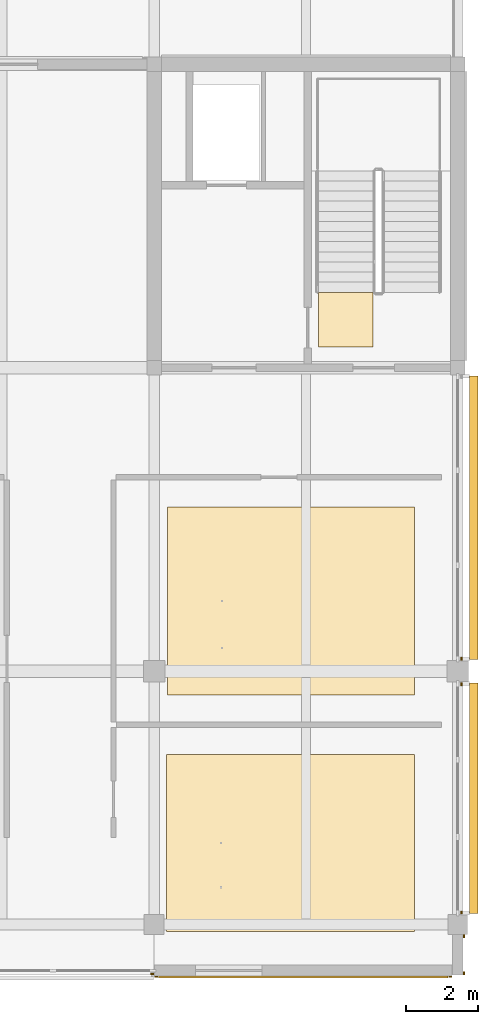
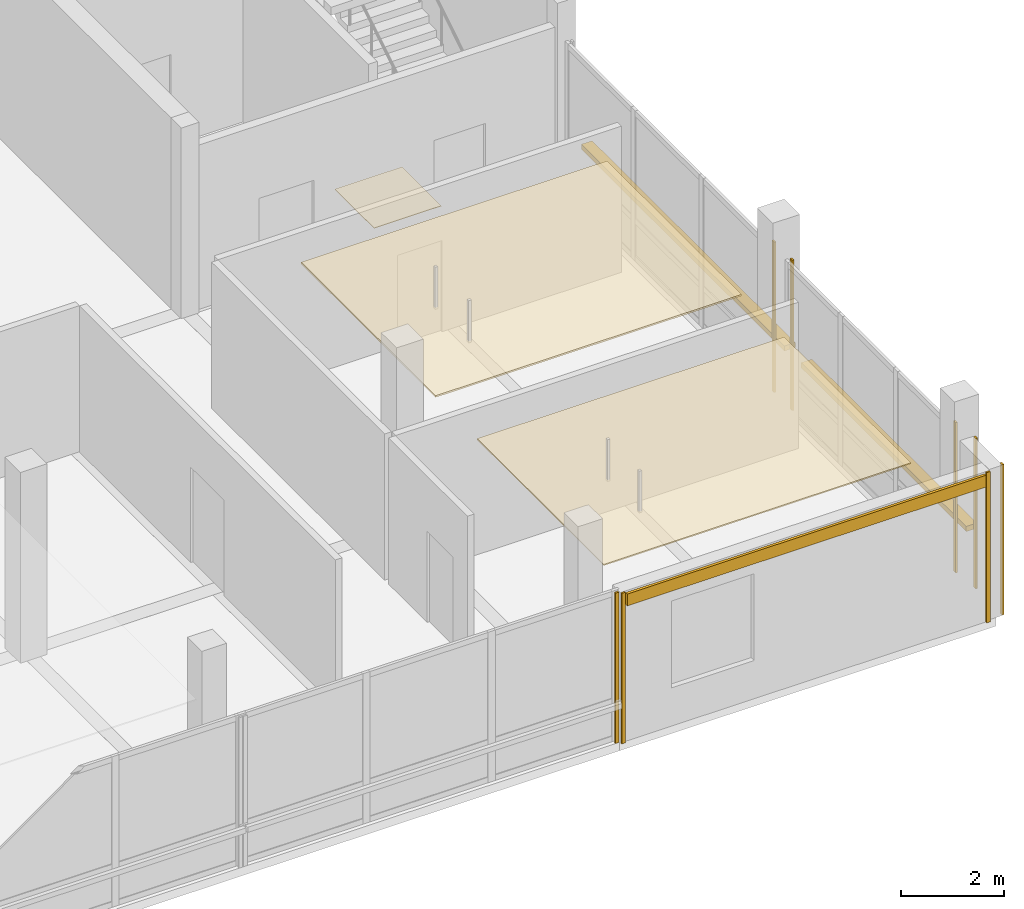
# One storey, part 23 of 25: 12 coverings, 2 shading devices.
"""IFC4 building model written with IfcOpenShell, lengths in metres."""

from ifc_helpers import new_model, si_unit, direction, frame, origin, origin_2d, place, context, subcontext, project, spatial, polyline, rectangle, outline, extrude, material, layer, layer_set, type_object, element, save


model = new_model("IFC4")

# Units and contexts
model_context = context("Model", 3, precision=1e-05, world=origin(), true_north=direction((0.0, 1.0)))
body_context = subcontext(model_context, "Body", "Model", "MODEL_VIEW")
ifc_project = project(units=[si_unit("LENGTHUNIT", "METRE"), si_unit("AREAUNIT", "SQUARE_METRE"), si_unit("VOLUMEUNIT", "CUBIC_METRE"), si_unit("PLANEANGLEUNIT", "RADIAN"), si_unit("MASSUNIT", "GRAM", prefix="KILO")], contexts=[model_context])

# Site, building, storey
site_placement = place(None, origin())
site = spatial("IfcSite", under=ifc_project, at=site_placement, CompositionType="ELEMENT")
building_placement = place(site_placement, origin())
building = spatial("IfcBuilding", under=site, at=building_placement, Name="Telukmera Botanical Conservatory", CompositionType="ELEMENT")
storey_placement = place(building_placement, frame((0.0, 0.0, 64.5)))
storey = spatial("IfcBuildingStorey", under=building, at=storey_placement, Name="L14", CompositionType="ELEMENT", Elevation=64.5)

# Coverings
ifc_material_1 = material(Name="Mineral fibre acoustic ceiling")
ifc_layer_1 = layer(ifc_material_1, 0.030029296875)
ifc_layer_set_1 = layer_set([ifc_layer_1], Name="Mineral fibre acoustic ceiling")
covering_type_1 = type_object("IfcCoveringType", Name="COV-CEIL-30", PredefinedType="CEILING", material=ifc_layer_set_1)
covering_1_placement = place(storey_placement, frame((0.0, 0.0, 3.320068359375)))
element("IfcCovering", 1, at=covering_1_placement, inside=storey, type_object=covering_type_1, Name="L14 Botanical Director Research Suite Suspended Acoustic Ceiling", PredefinedType="CEILING", context=body_context, shape_type="SweptSolid", body=[
    extrude(outline(polyline([(92.7451171875, 10.39990234375), (99.60009765625, 10.39990234375), (99.60009765625, 15.300048828125), (92.7451171875, 15.300048828125), (92.7451171875, 10.39990234375)])), origin(), (0.0, 0.0, 1.0), 0.030029296875),
])
ifc_material_2 = material(Name="Perforated gypsum acoustic ceiling")
ifc_layer_2 = layer(ifc_material_2, 0.0400390625)
ifc_layer_set_2 = layer_set([ifc_layer_2], Name="Perforated gypsum acoustic ceiling")
covering_type_2 = type_object("IfcCoveringType", Name="COV-CEIL-40", PredefinedType="CEILING", material=ifc_layer_set_2)
covering_2_placement = place(storey_placement, frame((0.0, 0.0, 3.31005859375)))
element("IfcCovering", 2, at=covering_2_placement, inside=storey, type_object=covering_type_2, Name="L14 Visiting Fellows Studio Suspended Acoustic Ceiling", PredefinedType="CEILING", context=body_context, shape_type="SweptSolid", body=[
    extrude(outline(polyline([(92.77001953125, 16.949951171875), (99.60009765625, 16.949951171875), (99.60009765625, 22.14990234375), (92.77001953125, 22.14990234375), (92.77001953125, 16.949951171875)])), origin(), (0.0, 0.0, 1.0), 0.0400390625),
])
ifc_material_3 = material(Name="Honed granite non-slip flooring", Category="masonry")
ifc_layer_3 = layer(ifc_material_3, 0.011962890625)
ifc_layer_set_3 = layer_set([ifc_layer_3], Name="Honed granite non-slip flooring")
covering_type_3 = type_object("IfcCoveringType", Name="COV-FLR-12", PredefinedType="FLOORING", material=ifc_layer_set_3)
covering_3_placement = place(storey_placement, origin())
element("IfcCovering", 3, at=covering_3_placement, inside=storey, type_object=covering_type_3, Name="L14 ST2 Non-Slip Stair Landing Finish", PredefinedType="FLOORING", context=body_context, shape_type="SweptSolid", body=[
    extrude(outline(polyline([(98.449951171875, 26.570068359375), (98.449951171875, 28.0849609375), (96.949951171875, 28.0849609375), (96.949951171875, 26.570068359375), (98.449951171875, 26.570068359375)])), origin(), (0.0, 0.0, 1.0), 0.011962890625),
])
ifc_material_4 = material(Name="Granite-faced precast concrete C40/50", Category="masonry")
ifc_layer_4 = layer(ifc_material_4, 0.0400390625)
ifc_layer_set_4 = layer_set([ifc_layer_4], Name="Granite-faced precast concrete C40/50")
covering_type_4 = type_object("IfcCoveringType", Name="Granite Precast Column Pier Reveal Casing", PredefinedType="CLADDING", material=ifc_layer_set_4)
for number, where, z_axis, x_axis, name in (
    (4, (100.969970703125, 9.25, 0.0), (0.0, 0.0, 1.0), (0.0, 1.0, 0.0), "Granite Pier Reveal V4:L14:SEC L"),
    (5, (100.969970703125, 10.27294921875, 0.0), (0.0, 0.0, 1.0), (0.0, 1.0, 0.0), "Granite Pier Reveal V4:L14:SEC R"),
    (6, (92.347900390625, 9.219970703125, 0.0), (0.0, 0.0, 1.0), (1.0, 0.0, 0.0), "Granite Pier Reveal V4:L14:S4 R"),
    (7, (92.451904296875, 9.14990234375, 0.0), (0.0, 0.0, 1.0), (1.0, 0.0, 0.0), "Granite Pier Reveal V4:L14:S5 L"),
    (8, (100.597900390625, 9.14990234375, 0.0), (0.0, 0.0, 1.0), (1.0, 0.0, 0.0), "Granite Pier Reveal V4:L14:S5 R"),
    (9, (100.89990234375, 10.927001953125, 0.0), (0.0, 0.0, 1.0), (0.0, 1.0, 0.0), "Granite Pier Reveal V4:L14:E1 L"),
    (10, (100.89990234375, 17.248046875, 0.0), (0.0, 0.0, 1.0), (0.0, 1.0, 0.0), "Granite Pier Reveal V4:L14:E1 R"),
    (11, (100.89990234375, 17.951904296875, 0.0), (0.0, 0.0, 1.0), (0.0, 1.0, 0.0), "Granite Pier Reveal V4:L14:E2 L"),
):
    element("IfcCovering", number, at=place(storey_placement, frame(where, z_axis=z_axis, x_axis=x_axis)), inside=storey, type_object=covering_type_4, Name=name, PredefinedType="CLADDING", context=body_context, shape_type="SweptSolid", body=[
        extrude(rectangle(XDim=0.080078125, YDim=0.0400390625, at=origin_2d()), origin(), (0.0, 0.0, 1.0), 3.550048828125),
    ])

# Shading devices
ifc_material_5 = material(Name="Perforated terracotta-anodised aluminium 6063-T6", Category="masonry")
ifc_layer_5 = layer(ifc_material_5, 0.044921875)
ifc_layer_set_5 = layer_set([ifc_layer_5], Name="Perforated terracotta-anodised aluminium 6063-T6")
shading_device_type = type_object("IfcShadingDeviceType", Name="Perforated Terracotta Aluminium Monsoon Brise Soleil", PredefinedType="JALOUSIE", material=ifc_layer_set_5)
shading_device_1_placement = place(storey_placement, frame((101.239990234375, 14.08740234375, 0.889892578125), z_axis=(0.0, 0.0, 1.0), x_axis=(0.0, 1.0, 0.0)))
element("IfcShadingDevice", 12, at=shading_device_1_placement, inside=storey, type_object=shading_device_type, Name="Monsoon Shading BS01 V4:L14:E1", PredefinedType="JALOUSIE", context=body_context, shape_type="SweptSolid", body=[
    extrude(rectangle(XDim=6.381103515625, YDim=0.239990234375, at=origin_2d()), origin(), (0.0, 0.0, 1.0), 0.1201171875),
])
shading_device_2_placement = place(storey_placement, frame((101.239990234375, 21.85009765625, 0.889892578125), z_axis=(0.0, 0.0, 1.0), x_axis=(0.0, 1.0, 0.0)))
element("IfcShadingDevice", 13, at=shading_device_2_placement, inside=storey, type_object=shading_device_type, Name="Monsoon Shading BS01 V4:L14:E2", PredefinedType="JALOUSIE", context=body_context, shape_type="SweptSolid", body=[
    extrude(rectangle(XDim=7.85595703125, YDim=0.239990234375, at=origin_2d()), origin(), (0.0, 0.0, 1.0), 0.1201171875),
])

# Covering
ifc_material_6 = material(Name="Terracotta-faced precast concrete C40/50", Category="masonry")
ifc_layer_6 = layer(ifc_material_6, 0.06005859375)
ifc_layer_set_6 = layer_set([ifc_layer_6], Name="Terracotta-faced precast concrete C40/50")
covering_type_5 = type_object("IfcCoveringType", Name="Polychrome Terracotta Facade Band Cladding", PredefinedType="CLADDING", material=ifc_layer_set_6)
covering_4_placement = place(storey_placement, frame((96.52490234375, 9.139892578125, 3.22998046875), z_axis=(0.0, 0.0, 1.0), x_axis=(1.0, 0.0, 0.0)))
element("IfcCovering", 14, at=covering_4_placement, inside=storey, type_object=covering_type_5, Name="Polychrome Terracotta Band V4:L14:S5", PredefinedType="CLADDING", context=body_context, shape_type="SweptSolid", body=[
    extrude(rectangle(XDim=8.006103515625, YDim=0.06005859375, at=origin_2d()), origin(), (0.0, 0.0, 1.0), 0.280029296875),
])

save(model, "model.ifc")
